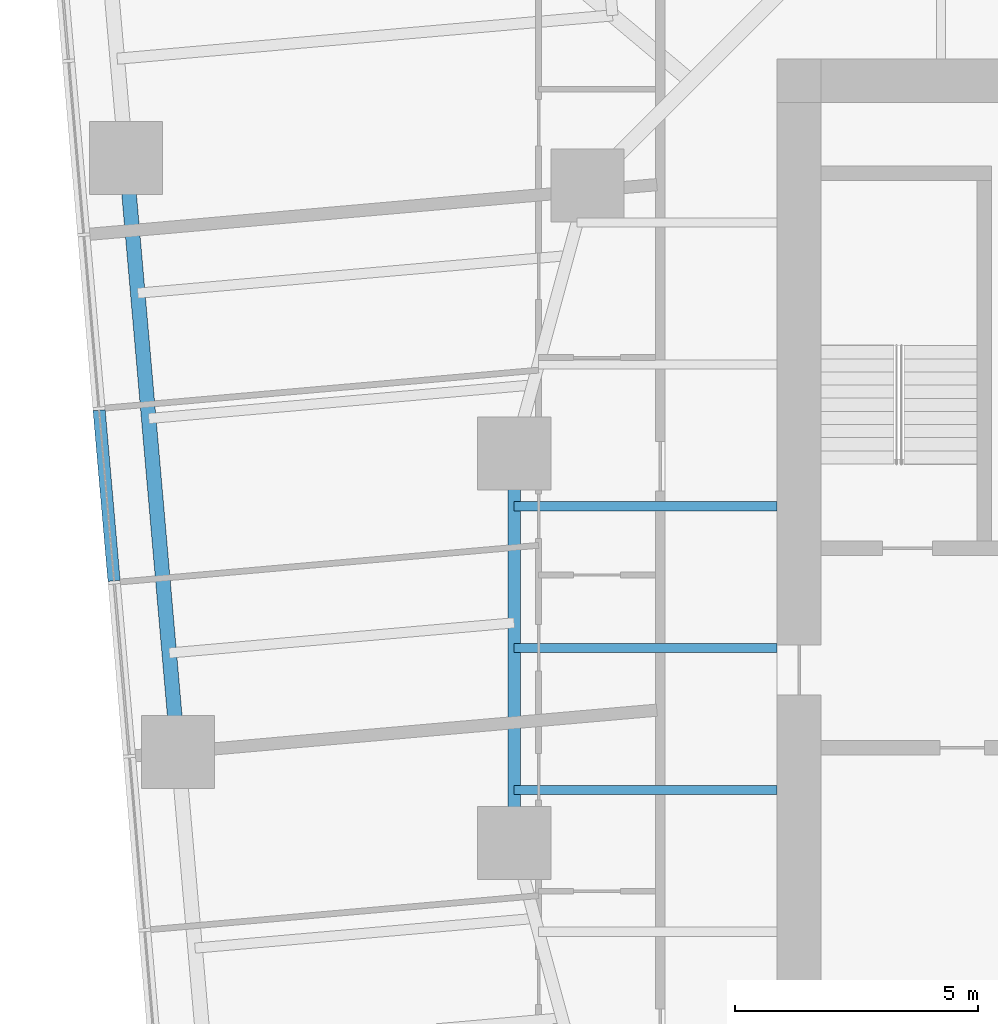
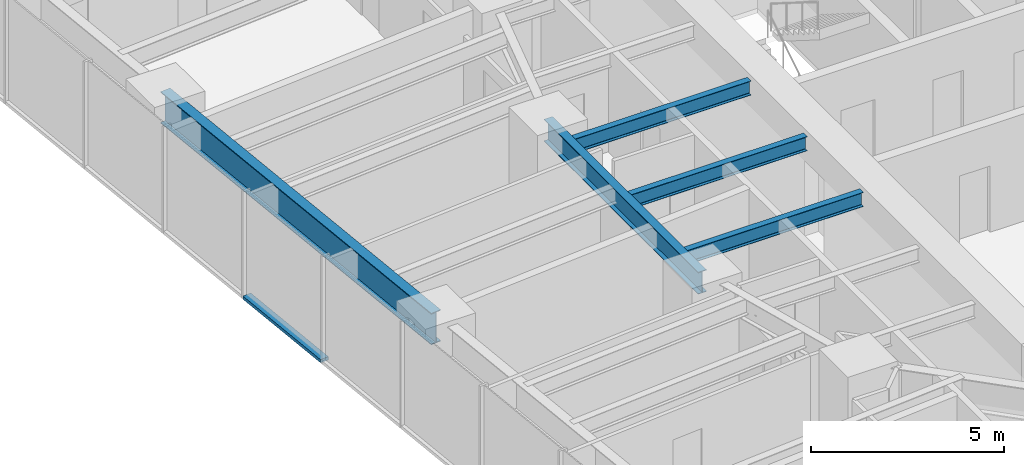
# One storey, part 3 of 14: 5 beams, 1 member, 1 element without a shape of its own.
"""IFC4 building model written with IfcOpenShell, lengths in metres."""

from ifc_helpers import new_model, si_unit, direction, frame, origin, origin_2d, place, context, subcontext, project, spatial, rectangle, i_section, extrude, material, material_profile, profile_set, type_object, element, aggregate, save


model = new_model("IFC4")

# Units and contexts
model_context = context("Model", 3, precision=1e-05, world=origin(), true_north=direction((0.0, 1.0)))
body_context = subcontext(model_context, "Body", "Model", "MODEL_VIEW")
ifc_project = project(units=[si_unit("LENGTHUNIT", "METRE"), si_unit("AREAUNIT", "SQUARE_METRE"), si_unit("VOLUMEUNIT", "CUBIC_METRE"), si_unit("PLANEANGLEUNIT", "RADIAN"), si_unit("MASSUNIT", "GRAM", prefix="KILO")], contexts=[model_context])

# Site, building, storey
site_placement = place(None, origin())
site = spatial("IfcSite", under=ifc_project, at=site_placement, CompositionType="ELEMENT")
building_placement = place(site_placement, origin())
building = spatial("IfcBuilding", under=site, at=building_placement, Name="Torsade Residences", CompositionType="ELEMENT")
storey_placement = place(building_placement, frame((0.0, 0.0, 47.199951171875)))
storey = spatial("IfcBuildingStorey", under=building, at=storey_placement, Name="L12", CompositionType="ELEMENT", Elevation=47.199951171875)

# Curtain wall, member
ifc_material_1 = material(Name="Aluminium and glass", Category="aluminium")
curtain_wall_type = type_object("IfcCurtainWallType", Name="FRITTED GLASS CURTAIN WALL LOW ZONE", PredefinedType="NOTDEFINED", material=ifc_material_1)
curtain_wall_placement = place(storey_placement, origin())
curtain_wall = element("IfcCurtainWall", 1, at=curtain_wall_placement, inside=storey, type_object=curtain_wall_type, Name="Curtain wall L12 face 10", PredefinedType="NOTDEFINED")
ifc_material_2 = material(Name="Aluminium transom", Category="aluminium")
ifc_material_profile_1 = material_profile(ifc_material_2, rectangle(XDim=0.25, YDim=0.10009765625, at=origin_2d()), Name="CURTAIN WALL TRANSOM 250x100")
ifc_profile_set_1 = profile_set([ifc_material_profile_1], Name="Aluminium transom")
member_type = type_object("IfcMemberType", Name="CURTAIN WALL TRANSOM 250x100", PredefinedType="USERDEFINED", material=ifc_profile_set_1)
member_placement = place(storey_placement, frame((13.975341796875, 34.884521484375, 0.050048828125), z_axis=(0.087156620531, -0.996194621295, 0.0), x_axis=(0.996194621295, 0.087156620531, 0.0)))
member = element("IfcMember", 2, at=member_placement, type_object=member_type, Name="Transom 5.1", ObjectType="TRANSOM", PredefinedType="USERDEFINED", context=body_context, shape_type="SweptSolid", body=[
    extrude(rectangle(XDim=0.25, YDim=0.10009765625, at=origin_2d()), origin(), (0.0, 0.0, 1.0), 3.518310546875),
])
aggregate(curtain_wall, [member])

# Beams
ifc_material_3 = material(Name="Steel grade 300", Category="steel")
ifc_material_profile_2 = material_profile(ifc_material_3, i_section(OverallWidth=0.300048828125, OverallDepth=1.0, WebThickness=0.01611328125, FlangeThickness=0.028076171875, at=origin_2d()), Name="1000WB215")
ifc_profile_set_2 = profile_set([ifc_material_profile_2], Name="Steel grade 300")
beam_type_1 = type_object("IfcBeamType", Name="EDGE BEAM 1000WB215", PredefinedType="SPANDREL", material=ifc_profile_set_2)
beam_1_placement = place(storey_placement, frame((14.525634765625, 40.068115234375, 2.75), z_axis=(0.08715335259, -0.996194907201, 0.0), x_axis=(0.996194907201, 0.08715335259, 0.0)))
element("IfcBeam", 3, at=beam_1_placement, inside=storey, type_object=beam_type_1, Name="Edge beam 14 L13", PredefinedType="SPANDREL", context=body_context, shape_type="SweptSolid", body=[
    extrude(i_section(OverallWidth=0.300048828125, OverallDepth=1.0, WebThickness=0.01611328125, FlangeThickness=0.028076171875, at=origin_2d()), origin(), (0.0, 0.0, 1.0), 12.25),
])
ifc_material_4 = material(Name="Steel grade 300", Category="steel")
ifc_material_profile_3 = material_profile(ifc_material_4, i_section(OverallWidth=0.18994140625, OverallDepth=0.4541015625, WebThickness=0.008544921875, FlangeThickness=0.0126953125, FilletRadius=0.011474609375, at=origin_2d()), Name="460UB67.1")
ifc_profile_set_3 = profile_set([ifc_material_profile_3], Name="Steel grade 300")
beam_type_2 = type_object("IfcBeamType", Name="INNER FLOOR BEAM 460UB67.1", PredefinedType="JOIST", material=ifc_profile_set_3)
for number, where, z_axis, x_axis, name in (
    (4, (27.89990234375, 32.91259765625, 3.02294921875), (-1.0, 0.0, 0.0), (0.0, -1.0, 0.0), "Inner floor beam IW03 L13"),
    (5, (27.89990234375, 30.0, 3.02294921875), (-1.0, 0.0, 0.0), (0.0, -1.0, 0.0), "Inner floor beam IW04 L13"),
    (6, (27.89990234375, 27.08740234375, 3.02294921875), (-1.0, 0.0, 0.0), (0.0, -1.0, 0.0), "Inner floor beam IW05 L13"),
):
    element("IfcBeam", number, at=place(storey_placement, frame(where, z_axis=z_axis, x_axis=x_axis)), inside=storey, type_object=beam_type_2, Name=name, PredefinedType="JOIST", context=body_context, shape_type="SweptSolid", body=[
        extrude(i_section(OverallWidth=0.18994140625, OverallDepth=0.4541015625, WebThickness=0.008544921875, FlangeThickness=0.0126953125, FilletRadius=0.011474609375, at=origin_2d()), origin(), (0.0, 0.0, 1.0), 5.39990234375),
    ])
ifc_material_5 = material(Name="Steel grade 300", Category="steel")
ifc_material_profile_4 = material_profile(ifc_material_5, i_section(OverallWidth=0.25, OverallDepth=0.699951171875, WebThickness=0.010009765625, FlangeThickness=0.02001953125, at=origin_2d()), Name="700WB130")
ifc_profile_set_4 = profile_set([ifc_material_profile_4], Name="Steel grade 300")
beam_type_3 = type_object("IfcBeamType", Name="RING GIRDER 700WB130", PredefinedType="BEAM", material=ifc_profile_set_4)
beam_2_placement = place(storey_placement, frame((22.5, 34.0, 2.900146484375), z_axis=(0.0, -1.0, 0.0), x_axis=(1.0, 0.0, 0.0)))
element("IfcBeam", 7, at=beam_2_placement, inside=storey, type_object=beam_type_3, Name="Ring girder IR09 L13", PredefinedType="BEAM", context=body_context, shape_type="SweptSolid", body=[
    extrude(i_section(OverallWidth=0.25, OverallDepth=0.699951171875, WebThickness=0.010009765625, FlangeThickness=0.02001953125, at=origin_2d()), origin(), (0.0, 0.0, 1.0), 8.0),
])

save(model, "model.ifc")
